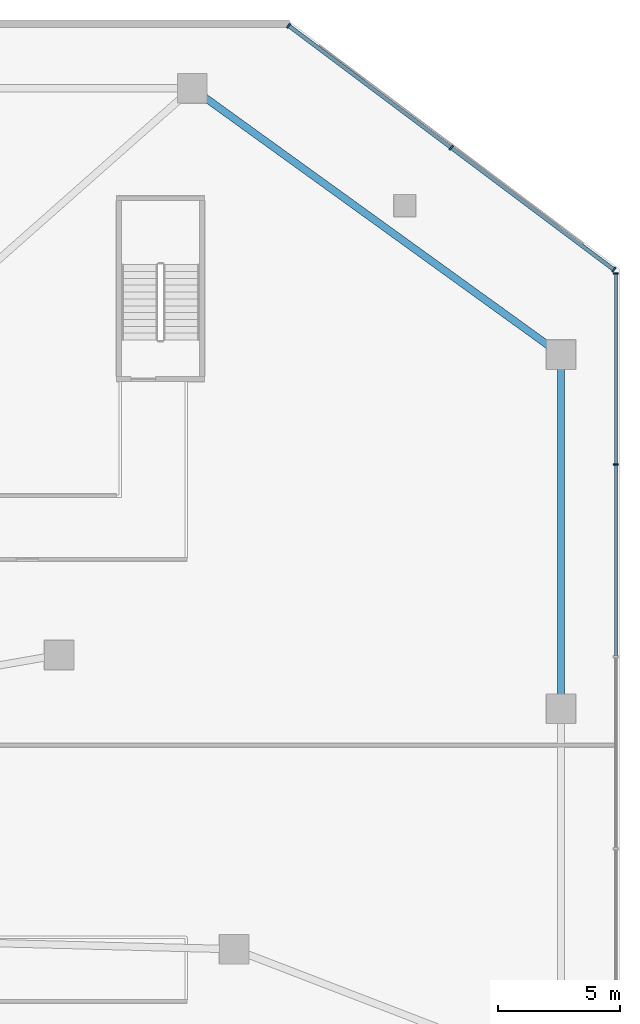
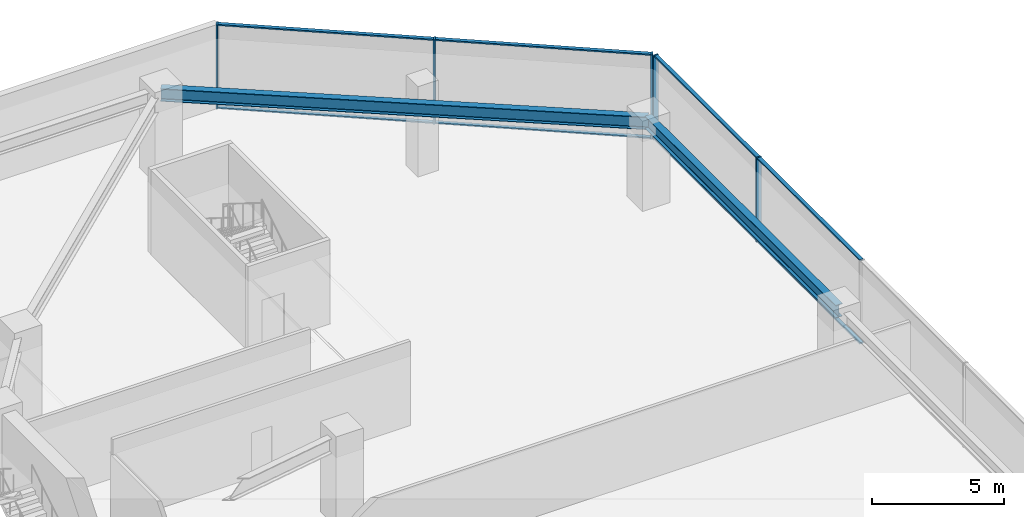
# One storey, part 9 of 21: 13 members, 2 beams, 2 elements without a shape of their own.
"""IFC4 building model written with IfcOpenShell, lengths in metres."""

from ifc_helpers import new_model, si_unit, direction, frame, origin, origin_2d, place, context, subcontext, project, spatial, rectangle, i_section, extrude, material, material_profile, profile_set, type_object, element, aggregate, save


model = new_model("IFC4")

# Units and contexts
model_context = context("Model", 3, precision=1e-05, world=origin(), true_north=direction((0.0, 1.0)))
body_context = subcontext(model_context, "Body", "Model", "MODEL_VIEW")
ifc_project = project(units=[si_unit("LENGTHUNIT", "METRE"), si_unit("AREAUNIT", "SQUARE_METRE"), si_unit("VOLUMEUNIT", "CUBIC_METRE"), si_unit("PLANEANGLEUNIT", "RADIAN"), si_unit("MASSUNIT", "GRAM", prefix="KILO")], contexts=[model_context])

# Site, building, storey
site_placement = place(None, origin())
site = spatial("IfcSite", under=ifc_project, at=site_placement, CompositionType="ELEMENT")
building_placement = place(site_placement, origin())
building = spatial("IfcBuilding", under=site, at=building_placement, Name="Savorim Split Tower", CompositionType="ELEMENT")
storey_placement = place(building_placement, frame((0.0, 0.0, 5.0)))
storey = spatial("IfcBuildingStorey", under=building, at=storey_placement, Name="L01", CompositionType="ELEMENT", Elevation=5.0)

# Beams
ifc_material_1 = material(Name="Steel S355", Category="steel")
ifc_material_profile_1 = material_profile(ifc_material_1, i_section(OverallWidth=0.300048828125, OverallDepth=0.590087890625, WebThickness=0.012939453125, FlangeThickness=0.02490234375, FilletRadius=0.027099609375, at=origin_2d()), Name="HEA 600")
ifc_profile_set_1 = profile_set([ifc_material_profile_1], Name="Steel S355")
beam_type = type_object("IfcBeamType", Name="BM-SPN-HEA600", PredefinedType="SPANDREL", material=ifc_profile_set_1)
beam_1_placement = place(storey_placement, frame((38.60009765625, 0.0, 3.625), z_axis=(0.0, 1.0, 0.0), x_axis=(-1.0, 0.0, 0.0)))
element("IfcBeam", 1, at=beam_1_placement, inside=storey, type_object=beam_type, Name="L01 Podium Spandrel Beam 4", PredefinedType="SPANDREL", context=body_context, shape_type="SweptSolid", body=[
    extrude(i_section(OverallWidth=0.300048828125, OverallDepth=0.590087890625, WebThickness=0.012939453125, FlangeThickness=0.02490234375, FilletRadius=0.027099609375, at=origin_2d()), origin(), (0.0, 0.0, 1.0), 14.5),
])
beam_2_placement = place(storey_placement, frame((38.60009765625, 14.5, 3.625), z_axis=(-0.810825083438, 0.585288547699, 0.0), x_axis=(-0.585288547699, -0.810825083438, 0.0)))
element("IfcBeam", 2, at=beam_2_placement, inside=storey, type_object=beam_type, Name="L01 Podium Spandrel Beam 5", PredefinedType="SPANDREL", context=body_context, shape_type="SweptSolid", body=[
    extrude(i_section(OverallWidth=0.300048828125, OverallDepth=0.590087890625, WebThickness=0.012939453125, FlangeThickness=0.02490234375, FilletRadius=0.027099609375, at=origin_2d()), origin(), (0.0, 0.0, 1.0), 18.623046875),
])

# Curtain wall, members
ifc_material_2 = material(Name="Dark Ceramic-Fritted Insulated Glass", Category="glass")
curtain_wall_type = type_object("IfcCurtainWallType", Name="CW-POD-GLZ", PredefinedType="NOTDEFINED", material=ifc_material_2)
curtain_wall_1_placement = place(storey_placement, origin())
curtain_wall_1 = element("IfcCurtainWall", 3, at=curtain_wall_1_placement, inside=storey, type_object=curtain_wall_type, Name="L01 Curtain Wall CW-L01-E06", PredefinedType="NOTDEFINED")
ifc_material_3 = material(Name="Charcoal Anodised Aluminium", Category="aluminium")
ifc_material_profile_2 = material_profile(ifc_material_3, rectangle(XDim=0.219970703125, YDim=0.070068359375, at=origin_2d()), Name="ALU-M 220x70")
ifc_profile_set_2 = profile_set([ifc_material_profile_2], Name="Charcoal Anodised Aluminium")
member_type_1 = type_object("IfcMemberType", Name="CWM-220x70", PredefinedType="MULLION", material=ifc_profile_set_2)
member_1_placement = place(storey_placement, frame((40.840087890625, 9.99609375, 0.0), z_axis=(0.0, 0.0, 1.0), x_axis=(-1.0, 0.0, 0.0)))
member_1 = element("IfcMember", 4, at=member_1_placement, type_object=member_type_1, Name="CW-01 mullion 5", PredefinedType="MULLION", context=body_context, shape_type="SweptSolid", body=[
    extrude(rectangle(XDim=0.219970703125, YDim=0.070068359375, at=origin_2d()), origin(), (0.0, 0.0, 1.0), 3.919921875),
])
member_2_placement = place(storey_placement, frame((40.840087890625, 17.824951171875, 0.0), z_axis=(0.0, 0.0, 1.0), x_axis=(-1.0, 0.0, 0.0)))
member_2 = element("IfcMember", 5, at=member_2_placement, type_object=member_type_1, Name="CW-01 mullion 6", PredefinedType="MULLION", context=body_context, shape_type="SweptSolid", body=[
    extrude(rectangle(XDim=0.219970703125, YDim=0.070068359375, at=origin_2d()), origin(), (0.0, 0.0, 1.0), 3.919921875),
])

curtain_wall_2_placement = place(storey_placement, origin())
curtain_wall_2 = element("IfcCurtainWall", 6, at=curtain_wall_2_placement, inside=storey, type_object=curtain_wall_type, Name="L01 Curtain Wall CW-L01-E07", PredefinedType="NOTDEFINED")
member_3_placement = place(storey_placement, frame((40.763916015625, 17.97705078125, 0.0), z_axis=(0.0, 0.0, 1.0), x_axis=(-0.600000000002, -0.799999999998, 0.0)))
member_3 = element("IfcMember", 7, at=member_3_placement, type_object=member_type_1, Name="CW-01 mullion 1", PredefinedType="MULLION", context=body_context, shape_type="SweptSolid", body=[
    extrude(rectangle(XDim=0.219970703125, YDim=0.070068359375, at=origin_2d()), origin(), (0.0, 0.0, 1.0), 3.919921875),
])
member_4_placement = place(storey_placement, frame((34.10400390625, 22.971923828125, 0.0), z_axis=(0.0, 0.0, 1.0), x_axis=(-0.600000000002, -0.799999999998, 0.0)))
member_4 = element("IfcMember", 8, at=member_4_placement, type_object=member_type_1, Name="CW-01 mullion 2", PredefinedType="MULLION", context=body_context, shape_type="SweptSolid", body=[
    extrude(rectangle(XDim=0.219970703125, YDim=0.070068359375, at=origin_2d()), origin(), (0.0, 0.0, 1.0), 3.919921875),
])
member_5_placement = place(storey_placement, frame((27.444091796875, 27.967041015625, 0.0), z_axis=(0.0, 0.0, 1.0), x_axis=(-0.600000000002, -0.799999999998, 0.0)))
member_5 = element("IfcMember", 9, at=member_5_placement, type_object=member_type_1, Name="CW-01 mullion 3", PredefinedType="MULLION", context=body_context, shape_type="SweptSolid", body=[
    extrude(rectangle(XDim=0.219970703125, YDim=0.070068359375, at=origin_2d()), origin(), (0.0, 0.0, 1.0), 3.919921875),
])

# Member
ifc_material_profile_3 = material_profile(ifc_material_3, rectangle(XDim=0.159912109375, YDim=0.06005859375, at=origin_2d()), Name="ALU-T 160x60")
ifc_profile_set_3 = profile_set([ifc_material_profile_3], Name="Charcoal Anodised Aluminium")
member_type_2 = type_object("IfcMemberType", Name="CWT-160x60", PredefinedType="USERDEFINED", material=ifc_profile_set_3)
member_6_placement = place(storey_placement, frame((40.840087890625, 2.1669921875, 0.030029296875), z_axis=(0.0, 1.0, 0.0), x_axis=(-1.0, 0.0, 0.0)))
member_6 = element("IfcMember", 10, at=member_6_placement, type_object=member_type_2, Name="CW-01 transom 4.1", ObjectType="TRANSOM", PredefinedType="USERDEFINED", context=body_context, shape_type="SweptSolid", body=[
    extrude(rectangle(XDim=0.159912109375, YDim=0.06005859375, at=origin_2d()), origin(), (0.0, 0.0, 1.0), 7.7939453125),
])

member_7_placement = place(storey_placement, frame((40.840087890625, 2.1669921875, 3.889892578125), z_axis=(0.0, 1.0, 0.0), x_axis=(-1.0, 0.0, 0.0)))
member_7 = element("IfcMember", 11, at=member_7_placement, type_object=member_type_2, Name="CW-01 transom 4.2", ObjectType="TRANSOM", PredefinedType="USERDEFINED", context=body_context, shape_type="SweptSolid", body=[
    extrude(rectangle(XDim=0.159912109375, YDim=0.06005859375, at=origin_2d()), origin(), (0.0, 0.0, 1.0), 7.7939453125),
])

member_8_placement = place(storey_placement, frame((40.840087890625, 10.031005859375, 0.030029296875), z_axis=(0.0, 1.0, 0.0), x_axis=(-1.0, 0.0, 0.0)))
member_8 = element("IfcMember", 12, at=member_8_placement, type_object=member_type_2, Name="CW-01 transom 5.1", ObjectType="TRANSOM", PredefinedType="USERDEFINED", context=body_context, shape_type="SweptSolid", body=[
    extrude(rectangle(XDim=0.159912109375, YDim=0.06005859375, at=origin_2d()), origin(), (0.0, 0.0, 1.0), 7.759033203125),
])

member_9_placement = place(storey_placement, frame((40.840087890625, 10.031005859375, 3.889892578125), z_axis=(0.0, 1.0, 0.0), x_axis=(-1.0, 0.0, 0.0)))
member_9 = element("IfcMember", 13, at=member_9_placement, type_object=member_type_2, Name="CW-01 transom 5.2", ObjectType="TRANSOM", PredefinedType="USERDEFINED", context=body_context, shape_type="SweptSolid", body=[
    extrude(rectangle(XDim=0.159912109375, YDim=0.06005859375, at=origin_2d()), origin(), (0.0, 0.0, 1.0), 7.759033203125),
])

aggregate(curtain_wall_1, [member_1, member_2, member_6, member_7, member_8, member_9])

member_10_placement = place(storey_placement, frame((40.736083984375, 17.998046875, 0.030029296875), z_axis=(-0.800007097974, 0.599990535918, 0.0), x_axis=(-0.599990535918, -0.800007097974, 0.0)))
member_10 = element("IfcMember", 14, at=member_10_placement, type_object=member_type_2, Name="CW-01 transom 1.1", ObjectType="TRANSOM", PredefinedType="USERDEFINED", context=body_context, shape_type="SweptSolid", body=[
    extrude(rectangle(XDim=0.159912109375, YDim=0.06005859375, at=origin_2d()), origin(), (0.0, 0.0, 1.0), 8.2548828125),
])

member_11_placement = place(storey_placement, frame((40.736083984375, 17.998046875, 3.889892578125), z_axis=(-0.800007097974, 0.599990535918, 0.0), x_axis=(-0.599990535918, -0.800007097974, 0.0)))
member_11 = element("IfcMember", 15, at=member_11_placement, type_object=member_type_2, Name="CW-01 transom 1.2", ObjectType="TRANSOM", PredefinedType="USERDEFINED", context=body_context, shape_type="SweptSolid", body=[
    extrude(rectangle(XDim=0.159912109375, YDim=0.06005859375, at=origin_2d()), origin(), (0.0, 0.0, 1.0), 8.2548828125),
])

member_12_placement = place(storey_placement, frame((34.075927734375, 22.992919921875, 0.030029296875), z_axis=(-0.79999290204, 0.60000946383, 0.0), x_axis=(-0.60000946383, -0.79999290204, 0.0)))
member_12 = element("IfcMember", 16, at=member_12_placement, type_object=member_type_2, Name="CW-01 transom 2.1", ObjectType="TRANSOM", PredefinedType="USERDEFINED", context=body_context, shape_type="SweptSolid", body=[
    extrude(rectangle(XDim=0.159912109375, YDim=0.06005859375, at=origin_2d()), origin(), (0.0, 0.0, 1.0), 8.255126953125),
])

member_13_placement = place(storey_placement, frame((34.075927734375, 22.992919921875, 3.889892578125), z_axis=(-0.79999290204, 0.60000946383, 0.0), x_axis=(-0.60000946383, -0.79999290204, 0.0)))
member_13 = element("IfcMember", 17, at=member_13_placement, type_object=member_type_2, Name="CW-01 transom 2.2", ObjectType="TRANSOM", PredefinedType="USERDEFINED", context=body_context, shape_type="SweptSolid", body=[
    extrude(rectangle(XDim=0.159912109375, YDim=0.06005859375, at=origin_2d()), origin(), (0.0, 0.0, 1.0), 8.255126953125),
])

aggregate(curtain_wall_2, [member_3, member_4, member_5, member_10, member_11, member_12, member_13])

save(model, "model.ifc")
